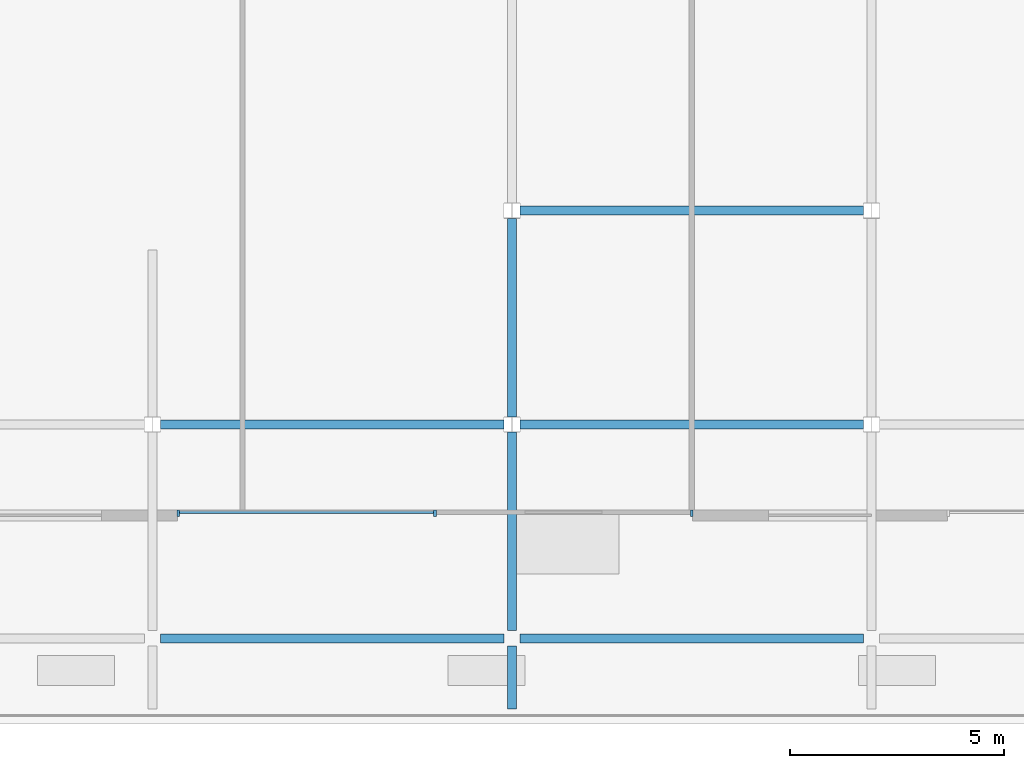
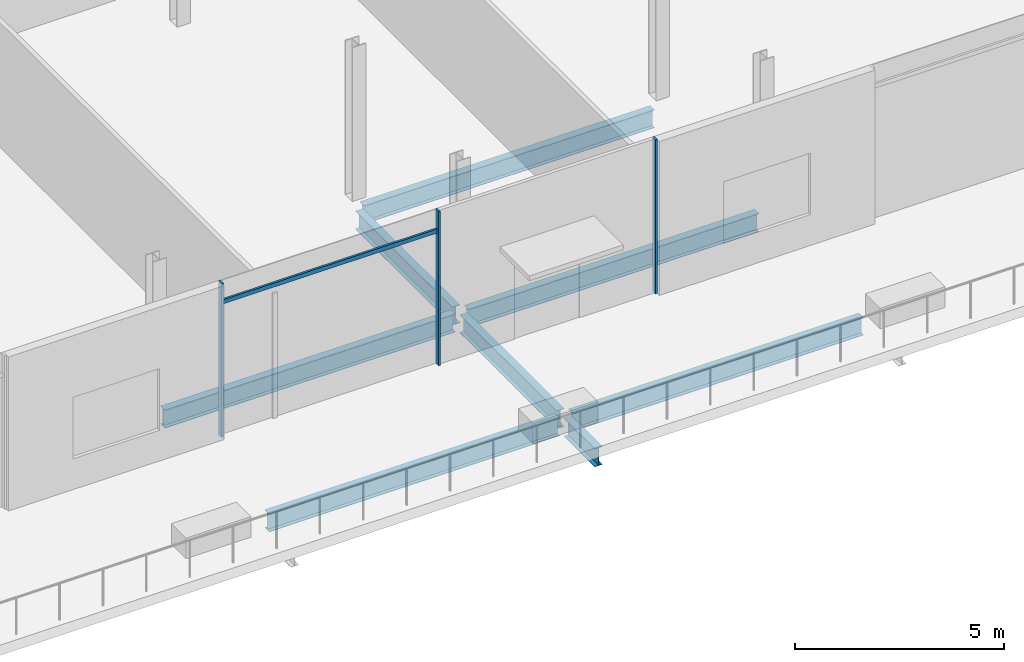
# One storey, part 13 of 52: 8 beams, 4 members, 1 element without a shape of its own.
"""IFC4 building model written with IfcOpenShell, lengths in metres."""

from ifc_helpers import new_model, si_unit, direction, frame, origin, origin_2d, place, context, subcontext, project, spatial, rectangle, i_section, extrude, material, material_profile, profile_set, type_object, element, aggregate, save


model = new_model("IFC4")

# Units and contexts
model_context = context("Model", 3, precision=1e-05, world=origin(), true_north=direction((0.0, 1.0)))
body_context = subcontext(model_context, "Body", "Model", "MODEL_VIEW")
ifc_project = project(units=[si_unit("LENGTHUNIT", "METRE"), si_unit("AREAUNIT", "SQUARE_METRE"), si_unit("VOLUMEUNIT", "CUBIC_METRE"), si_unit("PLANEANGLEUNIT", "RADIAN"), si_unit("MASSUNIT", "GRAM", prefix="KILO")], contexts=[model_context])

# Site, building, storey
site_placement = place(None, origin())
site = spatial("IfcSite", under=ifc_project, at=site_placement, CompositionType="ELEMENT")
building_placement = place(site_placement, origin())
building = spatial("IfcBuilding", under=site, at=building_placement, Name="Rimbun Link Towers", CompositionType="ELEMENT")
storey_placement = place(building_placement, frame((0.0, 0.0, 21.0)))
storey = spatial("IfcBuildingStorey", under=building, at=storey_placement, Name="L04", CompositionType="ELEMENT", Elevation=21.0)

# Curtain wall, members
ifc_material_1 = material(Name="Aluminium 6063-T6 and low-iron glass", Category="aluminium")
curtain_wall_type = type_object("IfcCurtainWallType", Name="CW3 podium shopfront", PredefinedType="NOTDEFINED", material=ifc_material_1)
curtain_wall_placement = place(storey_placement, origin())
curtain_wall = element("IfcCurtainWall", 1, at=curtain_wall_placement, inside=storey, type_object=curtain_wall_type, Name="CW3 L04 PD", PredefinedType="NOTDEFINED")
ifc_material_2 = material(Name="Aluminium 6063-T6", Category="aluminium")
ifc_material_profile_1 = material_profile(ifc_material_2, rectangle(XDim=0.14990234375, YDim=0.06005859375, at=origin_2d()), Name="MULLION 60X150")
ifc_profile_set_1 = profile_set([ifc_material_profile_1], Name="Aluminium 6063-T6")
member_type_1 = type_object("IfcMemberType", Name="CW3 mullion 60X150", PredefinedType="MULLION", material=ifc_profile_set_1)
member_1_placement = place(storey_placement, frame((-12.0, -28.074951171875, 0.0), z_axis=(0.0, 0.0, 1.0), x_axis=(0.0, -1.0, 0.0)))
member_1 = element("IfcMember", 2, at=member_1_placement, type_object=member_type_1, Name="CW3 mullion", PredefinedType="MULLION", context=body_context, shape_type="SweptSolid", body=[
    extrude(rectangle(XDim=0.14990234375, YDim=0.06005859375, at=origin_2d()), origin(), (0.0, 0.0, 1.0), 4.5),
])
member_2_placement = place(storey_placement, frame((-6.0, -28.074951171875, 0.0), z_axis=(0.0, 0.0, 1.0), x_axis=(0.0, -1.0, 0.0)))
member_2 = element("IfcMember", 3, at=member_2_placement, type_object=member_type_1, Name="CW3 mullion", PredefinedType="MULLION", context=body_context, shape_type="SweptSolid", body=[
    extrude(rectangle(XDim=0.14990234375, YDim=0.06005859375, at=origin_2d()), origin(), (0.0, 0.0, 1.0), 4.5),
])
member_3_placement = place(storey_placement, frame((0.0, -28.074951171875, 0.0), z_axis=(0.0, 0.0, 1.0), x_axis=(0.0, -1.0, 0.0)))
member_3 = element("IfcMember", 4, at=member_3_placement, type_object=member_type_1, Name="CW3 mullion", PredefinedType="MULLION", context=body_context, shape_type="SweptSolid", body=[
    extrude(rectangle(XDim=0.14990234375, YDim=0.06005859375, at=origin_2d()), origin(), (0.0, 0.0, 1.0), 4.5),
])
ifc_material_3 = material(Name="Aluminium 6063-T6", Category="aluminium")
ifc_material_profile_2 = material_profile(ifc_material_3, rectangle(XDim=0.06005859375, YDim=0.1201171875, at=origin_2d()), Name="TRANSOM 60X120")
ifc_profile_set_2 = profile_set([ifc_material_profile_2], Name="Aluminium 6063-T6")
member_type_2 = type_object("IfcMemberType", Name="CW3 transom 60X120", PredefinedType="USERDEFINED", material=ifc_profile_set_2)
member_4_placement = place(storey_placement, frame((-6.030029296875, -28.053955078125, 3.89990234375), z_axis=(-1.0, 0.0, 0.0), x_axis=(0.0, -1.0, 0.0)))
member_4 = element("IfcMember", 5, at=member_4_placement, type_object=member_type_2, Name="CW3 transom", ObjectType="TRANSOM", PredefinedType="USERDEFINED", context=body_context, shape_type="SweptSolid", body=[
    extrude(rectangle(XDim=0.06005859375, YDim=0.1201171875, at=origin_2d()), origin(), (0.0, 0.0, 1.0), 5.93994140625),
])
aggregate(curtain_wall, [member_1, member_2, member_3, member_4])

# Beams
ifc_material_4 = material(Name="Steel S355J2", Category="steel")
ifc_material_profile_3 = material_profile(ifc_material_4, i_section(OverallWidth=0.209228515625, OverallDepth=0.533203125, WebThickness=0.010009765625, FlangeThickness=0.015625, at=origin_2d()), Name="UB 533x210x92")
ifc_profile_set_3 = profile_set([ifc_material_profile_3], Name="Steel S355J2")
beam_type = type_object("IfcBeamType", Name="UB 533x210x92", PredefinedType="BEAM", material=ifc_profile_set_3)
beam_1_placement = place(storey_placement, frame((-12.414794921875, -31.0, -0.56640625), z_axis=(1.0, 0.0, 0.0), x_axis=(0.0, 1.0, 0.0)))
element("IfcBeam", 6, at=beam_1_placement, inside=storey, type_object=beam_type, Name="Grid beam L04 -31.0", PredefinedType="BEAM", context=body_context, shape_type="SweptSolid", body=[
    extrude(i_section(OverallWidth=0.209228515625, OverallDepth=0.533203125, WebThickness=0.010009765625, FlangeThickness=0.015625, at=origin_2d()), origin(), (0.0, 0.0, 1.0), 8.029541015625),
])
beam_2_placement = place(storey_placement, frame((-4.0146484375, -31.0, -0.56640625), z_axis=(1.0, 0.0, 0.0), x_axis=(0.0, 1.0, 0.0)))
element("IfcBeam", 7, at=beam_2_placement, inside=storey, type_object=beam_type, Name="Grid beam L04 -31.0", PredefinedType="BEAM", context=body_context, shape_type="SweptSolid", body=[
    extrude(i_section(OverallWidth=0.209228515625, OverallDepth=0.533203125, WebThickness=0.010009765625, FlangeThickness=0.015625, at=origin_2d()), origin(), (0.0, 0.0, 1.0), 8.029296875),
])
beam_3_placement = place(storey_placement, frame((-12.414794921875, -26.0, -0.56640625), z_axis=(1.0, 0.0, 0.0), x_axis=(0.0, 1.0, 0.0)))
element("IfcBeam", 8, at=beam_3_placement, inside=storey, type_object=beam_type, Name="Grid beam L04 -26.0", PredefinedType="BEAM", context=body_context, shape_type="SweptSolid", body=[
    extrude(i_section(OverallWidth=0.209228515625, OverallDepth=0.533203125, WebThickness=0.010009765625, FlangeThickness=0.015625, at=origin_2d()), origin(), (0.0, 0.0, 1.0), 8.029541015625),
])
for number, where, z_axis, x_axis, name in (
    (9, (-4.0146484375, -26.0, -0.56640625), (1.0, 0.0, 0.0), (0.0, 1.0, 0.0), "Grid beam L04 -26.0"),
    (10, (-4.0146484375, -21.0, -0.56640625), (1.0, 0.0, 0.0), (0.0, 1.0, 0.0), "Grid beam L04 -21.0"),
):
    element("IfcBeam", number, at=place(storey_placement, frame(where, z_axis=z_axis, x_axis=x_axis)), inside=storey, type_object=beam_type, Name=name, PredefinedType="BEAM", context=body_context, shape_type="SweptSolid", body=[
        extrude(i_section(OverallWidth=0.209228515625, OverallDepth=0.533203125, WebThickness=0.010009765625, FlangeThickness=0.015625, at=origin_2d()), origin(), (0.0, 0.0, 1.0), 8.029296875),
    ])
beam_4_placement = place(storey_placement, frame((-4.199951171875, -32.649169921875, -0.56640625), z_axis=(0.0, 1.0, 0.0), x_axis=(-1.0, 0.0, 0.0)))
element("IfcBeam", 11, at=beam_4_placement, inside=storey, type_object=beam_type, Name="Grid beam L04 -4.2", PredefinedType="BEAM", context=body_context, shape_type="SweptSolid", body=[
    extrude(i_section(OverallWidth=0.209228515625, OverallDepth=0.533203125, WebThickness=0.010009765625, FlangeThickness=0.015625, at=origin_2d()), origin(), (0.0, 0.0, 1.0), 1.46826171875),
])
for number, where, z_axis, x_axis, name in (
    (12, (-4.199951171875, -30.819091796875, -0.56640625), (0.0, 1.0, 0.0), (-1.0, 0.0, 0.0), "Grid beam L04 -4.2"),
    (13, (-4.199951171875, -25.819091796875, -0.56640625), (0.0, 1.0, 0.0), (-1.0, 0.0, 0.0), "Grid beam L04 -4.2"),
):
    element("IfcBeam", number, at=place(storey_placement, frame(where, z_axis=z_axis, x_axis=x_axis)), inside=storey, type_object=beam_type, Name=name, PredefinedType="BEAM", context=body_context, shape_type="SweptSolid", body=[
        extrude(i_section(OverallWidth=0.209228515625, OverallDepth=0.533203125, WebThickness=0.010009765625, FlangeThickness=0.015625, at=origin_2d()), origin(), (0.0, 0.0, 1.0), 4.63818359375),
    ])

save(model, "model.ifc")
